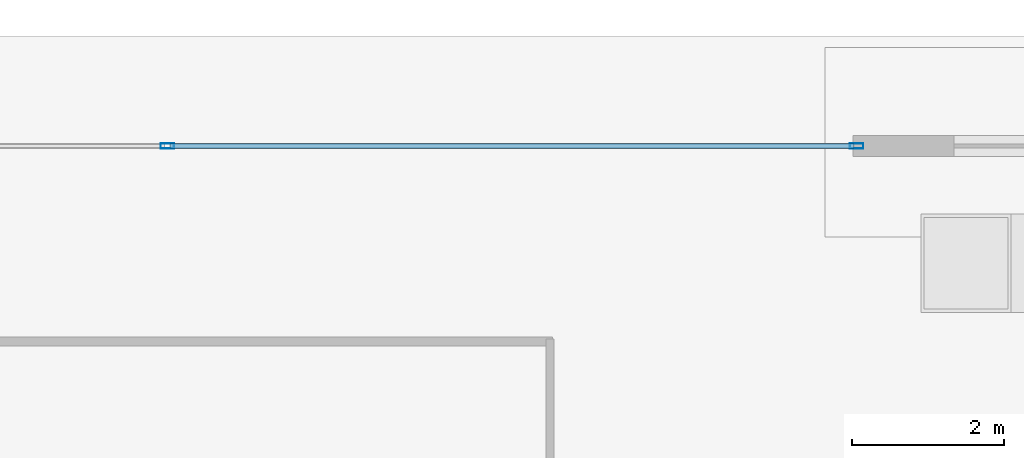
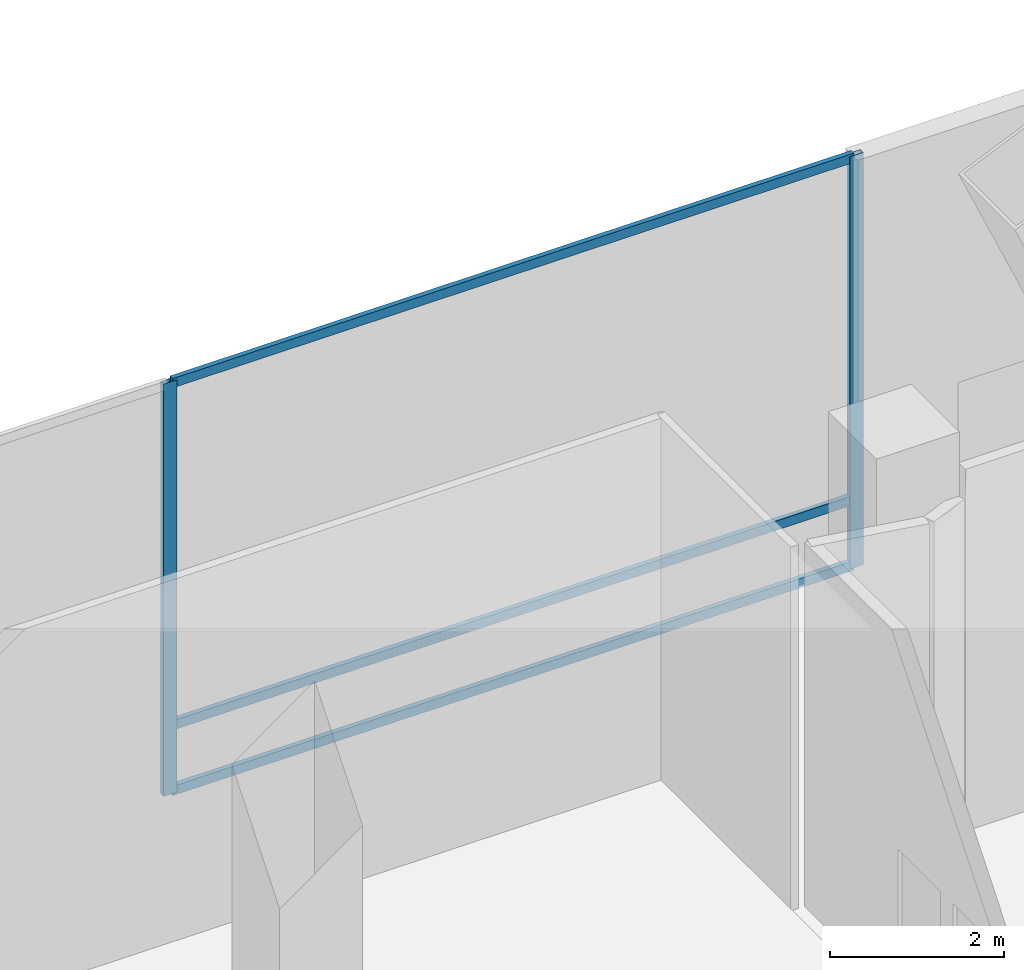
# One storey, part 18 of 40: 5 members, 1 element without a shape of its own.
"""IFC4 building model written with IfcOpenShell, lengths in metres."""

from ifc_helpers import new_model, si_unit, direction, frame, origin, origin_2d, place, context, subcontext, project, spatial, hollow_rectangle, extrude, material, layer, layer_set, material_profile, profile_set, type_object, element, aggregate, save


model = new_model("IFC4")

# Units and contexts
model_context = context("Model", 3, precision=1e-05, world=origin(), true_north=direction((0.0, 1.0)))
body_context = subcontext(model_context, "Body", "Model", "MODEL_VIEW")
ifc_project = project(units=[si_unit("LENGTHUNIT", "METRE"), si_unit("AREAUNIT", "SQUARE_METRE"), si_unit("VOLUMEUNIT", "CUBIC_METRE"), si_unit("PLANEANGLEUNIT", "RADIAN"), si_unit("MASSUNIT", "GRAM", prefix="KILO")], contexts=[model_context])

# Site, building, storey
site_placement = place(None, origin())
site = spatial("IfcSite", under=ifc_project, at=site_placement, CompositionType="ELEMENT")
building_placement = place(site_placement, origin())
building = spatial("IfcBuilding", under=site, at=building_placement, Name="Qianvela Tower", CompositionType="ELEMENT")
storey_placement = place(building_placement, origin())
storey = spatial("IfcBuildingStorey", under=building, at=storey_placement, Name="L00", CompositionType="ELEMENT", Elevation=0.0)

# Curtain wall, members
ifc_material_1 = material(Name="Anodised Architectural Aluminium and Low-E Glass", Category="aluminium")
ifc_layer = layer(ifc_material_1, 0.199951171875)
ifc_layer_set = layer_set([ifc_layer], Name="Anodised Architectural Aluminium and Low-E Glass")
curtain_wall_type = type_object("IfcCurtainWallType", Name="CW-CONCOURSE", PredefinedType="USERDEFINED", material=ifc_layer_set)
curtain_wall_placement = place(storey_placement, origin())
curtain_wall = element("IfcCurtainWall", 1, at=curtain_wall_placement, inside=storey, type_object=curtain_wall_type, Name="L00 CW-CONCOURSE Curtain Wall 05B", ObjectType="CURTAIN_WALL_SYSTEM", PredefinedType="USERDEFINED")
ifc_material_2 = material(Name="Anodised Architectural Aluminium 6063-T6", Category="aluminium")
ifc_material_profile_1 = material_profile(ifc_material_2, hollow_rectangle(XDim=0.070068359375, YDim=0.179931640625, WallThickness=0.0048828125, at=origin_2d()), Name="ALU-MULL-70x180")
ifc_profile_set_1 = profile_set([ifc_material_profile_1], Name="Anodised Architectural Aluminium 6063-T6")
member_type_1 = type_object("IfcMemberType", Name="CW-CONCOURSE-MULL", PredefinedType="MULLION", material=ifc_profile_set_1)
member_1_placement = place(storey_placement, frame((33.4150390625, 49.050048828125, 0.0), z_axis=(0.0, 0.0, 1.0), x_axis=(0.0, -1.0, 0.0)))
member_1 = element("IfcMember", 2, at=member_1_placement, type_object=member_type_1, Name="CW-1 mullion 1", PredefinedType="MULLION", context=body_context, shape_type="SweptSolid", body=[
    extrude(hollow_rectangle(XDim=0.070068359375, YDim=0.179931640625, WallThickness=0.0048828125, at=origin_2d()), origin(), (0.0, 0.0, 1.0), 5.780029296875),
])
member_2_placement = place(storey_placement, frame((24.316650390625, 49.050048828125, 0.0), z_axis=(0.0, 0.0, 1.0), x_axis=(0.0, -1.0, 0.0)))
member_2 = element("IfcMember", 3, at=member_2_placement, type_object=member_type_1, Name="CW-1 mullion 2", PredefinedType="MULLION", context=body_context, shape_type="SweptSolid", body=[
    extrude(hollow_rectangle(XDim=0.070068359375, YDim=0.179931640625, WallThickness=0.0048828125, at=origin_2d()), origin(), (0.0, 0.0, 1.0), 5.780029296875),
])
ifc_material_3 = material(Name="Anodised Architectural Aluminium 6063-T6", Category="aluminium")
ifc_material_profile_2 = material_profile(ifc_material_3, hollow_rectangle(XDim=0.06494140625, YDim=0.1298828125, WallThickness=0.00439453125, at=origin_2d()), Name="ALU-TRAN-65x130")
ifc_profile_set_2 = profile_set([ifc_material_profile_2], Name="Anodised Architectural Aluminium 6063-T6")
member_type_2 = type_object("IfcMemberType", Name="CW-CONCOURSE-TRAN", PredefinedType="USERDEFINED", material=ifc_profile_set_2)
member_3_placement = place(storey_placement, frame((33.3798828125, 49.050048828125, 0.032470703125), z_axis=(-1.0, 0.0, 0.0), x_axis=(0.0, -1.0, 0.0)))
member_3 = element("IfcMember", 4, at=member_3_placement, type_object=member_type_2, Name="CW-1 transom 1.1", ObjectType="TRANSOM", PredefinedType="USERDEFINED", context=body_context, shape_type="SweptSolid", body=[
    extrude(hollow_rectangle(XDim=0.06494140625, YDim=0.1298828125, WallThickness=0.00439453125, at=origin_2d()), origin(), (0.0, 0.0, 1.0), 9.0283203125),
])
member_4_placement = place(storey_placement, frame((33.3798828125, 49.050048828125, 0.949951171875), z_axis=(-1.0, 0.0, 0.0), x_axis=(0.0, -1.0, 0.0)))
member_4 = element("IfcMember", 5, at=member_4_placement, type_object=member_type_2, Name="CW-1 transom 1.2", ObjectType="TRANSOM", PredefinedType="USERDEFINED", context=body_context, shape_type="SweptSolid", body=[
    extrude(hollow_rectangle(XDim=0.06494140625, YDim=0.1298828125, WallThickness=0.00439453125, at=origin_2d()), origin(), (0.0, 0.0, 1.0), 9.0283203125),
])
member_5_placement = place(storey_placement, frame((33.3798828125, 49.050048828125, 5.74755859375), z_axis=(-1.0, 0.0, 0.0), x_axis=(0.0, -1.0, 0.0)))
member_5 = element("IfcMember", 6, at=member_5_placement, type_object=member_type_2, Name="CW-1 transom 1.3", ObjectType="TRANSOM", PredefinedType="USERDEFINED", context=body_context, shape_type="SweptSolid", body=[
    extrude(hollow_rectangle(XDim=0.06494140625, YDim=0.1298828125, WallThickness=0.00439453125, at=origin_2d()), origin(), (0.0, 0.0, 1.0), 9.0283203125),
])
aggregate(curtain_wall, [member_1, member_2, member_3, member_4, member_5])

save(model, "model.ifc")
